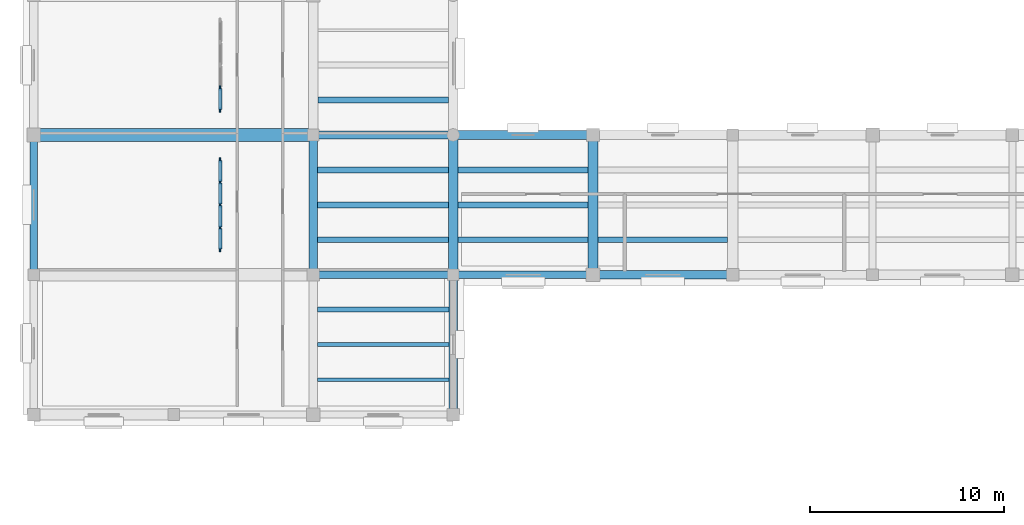
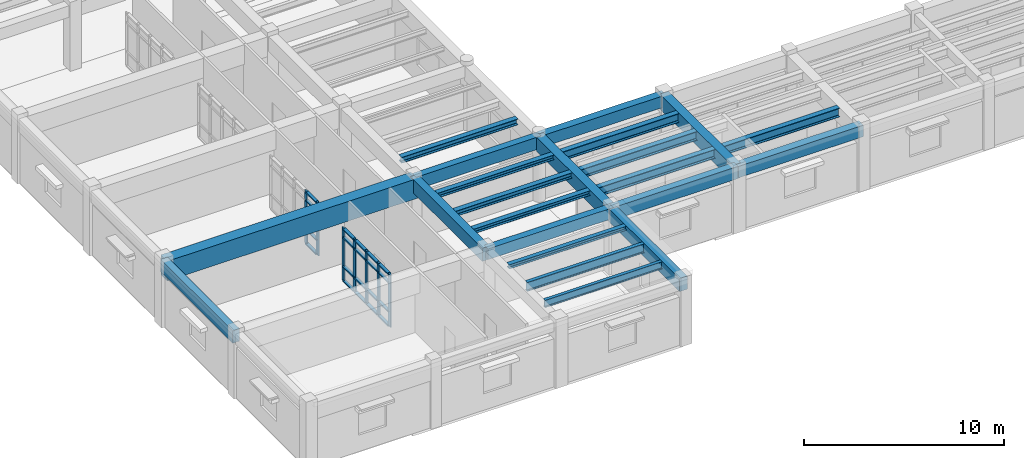
# One storey, part 2 of 66: 27 members, 22 beams, 2 elements without a shape of their own.
"""IFC4 building model written with IfcOpenShell, lengths in metres."""

from ifc_helpers import new_model, si_unit, direction, frame, origin, origin_2d, place, context, subcontext, project, spatial, rectangle, i_section, extrude, material, material_profile, profile_set, type_object, element, aggregate, save


model = new_model("IFC4")

# Units and contexts
model_context = context("Model", 3, precision=1e-05, world=origin(), true_north=direction((0.0, 1.0)))
body_context = subcontext(model_context, "Body", "Model", "MODEL_VIEW")
ifc_project = project(units=[si_unit("LENGTHUNIT", "METRE"), si_unit("AREAUNIT", "SQUARE_METRE"), si_unit("VOLUMEUNIT", "CUBIC_METRE"), si_unit("PLANEANGLEUNIT", "RADIAN"), si_unit("MASSUNIT", "GRAM", prefix="KILO")], contexts=[model_context])

# Site, building, storey
site_placement = place(None, origin())
site = spatial("IfcSite", under=ifc_project, at=site_placement, CompositionType="ELEMENT")
building_placement = place(site_placement, origin())
building = spatial("IfcBuilding", under=site, at=building_placement, Name="Mithqara Police Headquarters", CompositionType="ELEMENT")
storey_placement = place(building_placement, frame((0.0, 0.0, 9.60009765625)))
storey = spatial("IfcBuildingStorey", under=building, at=storey_placement, Name="L02", CompositionType="ELEMENT", Elevation=9.60009765625)

# Beams
ifc_material_1 = material(Name="Steel S355JR", Category="steel")
ifc_material_profile_1 = material_profile(ifc_material_1, i_section(OverallWidth=0.300048828125, OverallDepth=0.300048828125, WebThickness=0.010986328125, FlangeThickness=0.01904296875, FilletRadius=0.027099609375, at=origin_2d()), Name="HEB 300")
ifc_profile_set_1 = profile_set([ifc_material_profile_1], Name="Steel S355JR")
beam_type_1 = type_object("IfcBeamType", Name="BEAM HEB300", PredefinedType="BEAM", material=ifc_profile_set_1)
beam_1_placement = place(storey_placement, frame((22.425048828125, 33.60009765625, 3.789794921875), z_axis=(1.0, 0.0, 0.0), x_axis=(0.0, 1.0, 0.0)))
element("IfcBeam", 1, at=beam_1_placement, inside=storey, type_object=beam_type_1, Name="L02 Composite Steel Joist 4-5/E.3", PredefinedType="BEAM", context=body_context, shape_type="SweptSolid", body=[
    extrude(i_section(OverallWidth=0.300048828125, OverallDepth=0.300048828125, WebThickness=0.010986328125, FlangeThickness=0.01904296875, FilletRadius=0.027099609375, at=origin_2d()), origin(), (0.0, 0.0, 1.0), 6.724853515625),
])
ifc_material_profile_2 = material_profile(ifc_material_1, i_section(OverallWidth=0.300048828125, OverallDepth=0.360107421875, WebThickness=0.012451171875, FlangeThickness=0.0224609375, FilletRadius=0.027099609375, at=origin_2d()), Name="HEB 360")
ifc_profile_set_2 = profile_set([ifc_material_profile_2], Name="Steel S355JR")
beam_type_2 = type_object("IfcBeamType", Name="BEAM HEB360", PredefinedType="BEAM", material=ifc_profile_set_2)
beam_2_placement = place(storey_placement, frame((22.449951171875, 37.199951171875, 3.760009765625), z_axis=(1.0, 0.0, 0.0), x_axis=(0.0, 1.0, 0.0)))
element("IfcBeam", 2, at=beam_2_placement, inside=storey, type_object=beam_type_2, Name="L02 Composite Steel Joist 4-5/F.1", PredefinedType="BEAM", context=body_context, shape_type="SweptSolid", body=[
    extrude(i_section(OverallWidth=0.300048828125, OverallDepth=0.360107421875, WebThickness=0.012451171875, FlangeThickness=0.0224609375, FilletRadius=0.027099609375, at=origin_2d()), origin(), (0.0, 0.0, 1.0), 6.699951171875),
])
ifc_material_profile_3 = material_profile(ifc_material_1, i_section(OverallWidth=0.300048828125, OverallDepth=0.550048828125, WebThickness=0.014892578125, FlangeThickness=0.029052734375, FilletRadius=0.027099609375, at=origin_2d()), Name="HEB 550")
ifc_profile_set_3 = profile_set([ifc_material_profile_3], Name="Steel S355JR")
beam_type_3 = type_object("IfcBeamType", Name="BEAM HEB550", PredefinedType="BEAM", material=ifc_profile_set_3)
for number, where, z_axis, x_axis, name in (
    (3, (29.64990234375, 30.0, 3.664794921875), (1.0, 0.0, 0.0), (0.0, 1.0, 0.0), "L02 Composite Steel Joist 5-6/E.1"),
    (4, (29.64990234375, 31.800048828125, 3.664794921875), (1.0, 0.0, 0.0), (0.0, 1.0, 0.0), "L02 Composite Steel Joist 5-6/E.2"),
    (5, (29.64990234375, 33.60009765625, 3.664794921875), (1.0, 0.0, 0.0), (0.0, 1.0, 0.0), "L02 Composite Steel Joist 5-6/E.3"),
):
    element("IfcBeam", number, at=place(storey_placement, frame(where, z_axis=z_axis, x_axis=x_axis)), inside=storey, type_object=beam_type_3, Name=name, PredefinedType="BEAM", context=body_context, shape_type="SweptSolid", body=[
        extrude(i_section(OverallWidth=0.300048828125, OverallDepth=0.550048828125, WebThickness=0.014892578125, FlangeThickness=0.029052734375, FilletRadius=0.027099609375, at=origin_2d()), origin(), (0.0, 0.0, 1.0), 6.7001953125),
    ])
beam_3_placement = place(storey_placement, frame((36.85009765625, 30.0, 3.664794921875), z_axis=(1.0, 0.0, 0.0), x_axis=(0.0, 1.0, 0.0)))
element("IfcBeam", 6, at=beam_3_placement, inside=storey, type_object=beam_type_3, Name="L02 Composite Steel Joist 6-7/E.1", PredefinedType="BEAM", context=body_context, shape_type="SweptSolid", body=[
    extrude(i_section(OverallWidth=0.300048828125, OverallDepth=0.550048828125, WebThickness=0.014892578125, FlangeThickness=0.029052734375, FilletRadius=0.027099609375, at=origin_2d()), origin(), (0.0, 0.0, 1.0), 6.6748046875),
])
ifc_material_2 = material(Name="Concrete C40/50", Category="concrete")
ifc_material_profile_4 = material_profile(ifc_material_2, rectangle(XDim=0.39990234375, YDim=0.64990234375, at=origin_2d()), Name="RC 400x650")
ifc_profile_set_4 = profile_set([ifc_material_profile_4], Name="Concrete C40/50")
beam_type_4 = type_object("IfcBeamType", Name="BEAM RC400X650", PredefinedType="BEAM", material=ifc_profile_set_4)
beam_4_placement = place(storey_placement, frame((22.199951171875, 28.199951171875, 3.614990234375), z_axis=(1.0, 0.0, 0.0), x_axis=(0.0, 1.0, 0.0)))
element("IfcBeam", 7, at=beam_4_placement, inside=storey, type_object=beam_type_4, Name="L02 Girder 4-5/E", PredefinedType="BEAM", context=body_context, shape_type="SweptSolid", body=[
    extrude(rectangle(XDim=0.39990234375, YDim=0.64990234375, at=origin_2d()), origin(), (0.0, 0.0, 1.0), 7.199951171875),
])
ifc_material_profile_5 = material_profile(ifc_material_2, rectangle(XDim=0.39990234375, YDim=0.75, at=origin_2d()), Name="RC 400x750")
ifc_profile_set_5 = profile_set([ifc_material_profile_5], Name="Concrete C40/50")
beam_type_5 = type_object("IfcBeamType", Name="BEAM RC400X750", PredefinedType="BEAM", material=ifc_profile_set_5)
for number, where, z_axis, x_axis, name in (
    (8, (7.800048828125, 28.199951171875, 3.56494140625), (0.0, 1.0, 0.0), (-1.0, 0.0, 0.0), "L02 Girder 2/E-F"),
    (9, (22.199951171875, 35.39990234375, 3.56494140625), (1.0, 0.0, 0.0), (0.0, 1.0, 0.0), "L02 Girder 4-5/F"),
):
    element("IfcBeam", number, at=place(storey_placement, frame(where, z_axis=z_axis, x_axis=x_axis)), inside=storey, type_object=beam_type_5, Name=name, PredefinedType="BEAM", context=body_context, shape_type="SweptSolid", body=[
        extrude(rectangle(XDim=0.39990234375, YDim=0.75, at=origin_2d()), origin(), (0.0, 0.0, 1.0), 7.199951171875),
    ])
beam_5_placement = place(storey_placement, frame((29.39990234375, 28.199951171875, 3.56494140625), z_axis=(1.0, 0.0, 0.0), x_axis=(0.0, 1.0, 0.0)))
element("IfcBeam", 10, at=beam_5_placement, inside=storey, type_object=beam_type_5, Name="L02 Girder 5-6/E", PredefinedType="BEAM", context=body_context, shape_type="SweptSolid", body=[
    extrude(rectangle(XDim=0.39990234375, YDim=0.75, at=origin_2d()), origin(), (0.0, 0.0, 1.0), 7.2001953125),
])
ifc_material_profile_6 = material_profile(ifc_material_2, rectangle(XDim=0.449951171875, YDim=0.699951171875, at=origin_2d()), Name="RC 450x700")
ifc_profile_set_6 = profile_set([ifc_material_profile_6], Name="Concrete C40/50")
beam_type_6 = type_object("IfcBeamType", Name="BEAM RC450X700", PredefinedType="BEAM", material=ifc_profile_set_6)
beam_6_placement = place(storey_placement, frame((29.39990234375, 35.39990234375, 3.58984375), z_axis=(1.0, 0.0, 0.0), x_axis=(0.0, 1.0, 0.0)))
element("IfcBeam", 11, at=beam_6_placement, inside=storey, type_object=beam_type_6, Name="L02 Girder 5-6/F", PredefinedType="BEAM", context=body_context, shape_type="SweptSolid", body=[
    extrude(rectangle(XDim=0.449951171875, YDim=0.699951171875, at=origin_2d()), origin(), (0.0, 0.0, 1.0), 7.2001953125),
])
beam_7_placement = place(storey_placement, frame((36.60009765625, 28.199951171875, 3.58984375), z_axis=(1.0, 0.0, 0.0), x_axis=(0.0, 1.0, 0.0)))
element("IfcBeam", 12, at=beam_7_placement, inside=storey, type_object=beam_type_6, Name="L02 Girder 6-7/E", PredefinedType="BEAM", context=body_context, shape_type="SweptSolid", body=[
    extrude(rectangle(XDim=0.449951171875, YDim=0.699951171875, at=origin_2d()), origin(), (0.0, 0.0, 1.0), 7.199951171875),
])
ifc_material_profile_7 = material_profile(ifc_material_2, rectangle(XDim=0.449951171875, YDim=0.800048828125, at=origin_2d()), Name="RC 450x800")
ifc_profile_set_7 = profile_set([ifc_material_profile_7], Name="Concrete C40/50")
beam_type_7 = type_object("IfcBeamType", Name="BEAM RC450X800", PredefinedType="BEAM", material=ifc_profile_set_7)
for number, where, z_axis, x_axis, name in (
    (13, (22.199951171875, 28.199951171875, 3.539794921875), (0.0, 1.0, 0.0), (-1.0, 0.0, 0.0), "L02 Girder 4/E-F"),
    (14, (29.39990234375, 21.0, 3.539794921875), (0.0, 1.0, 0.0), (-1.0, 0.0, 0.0), "L02 Girder 5/D-E"),
):
    element("IfcBeam", number, at=place(storey_placement, frame(where, z_axis=z_axis, x_axis=x_axis)), inside=storey, type_object=beam_type_7, Name=name, PredefinedType="BEAM", context=body_context, shape_type="SweptSolid", body=[
        extrude(rectangle(XDim=0.449951171875, YDim=0.800048828125, at=origin_2d()), origin(), (0.0, 0.0, 1.0), 7.199951171875),
    ])
ifc_material_profile_8 = material_profile(ifc_material_2, rectangle(XDim=0.5, YDim=0.85009765625, at=origin_2d()), Name="RC 500x850")
ifc_profile_set_8 = profile_set([ifc_material_profile_8], Name="Concrete C40/50")
beam_type_8 = type_object("IfcBeamType", Name="BEAM RC500X850", PredefinedType="BEAM", material=ifc_profile_set_8)
beam_8_placement = place(storey_placement, frame((29.39990234375, 28.199951171875, 3.514892578125), z_axis=(0.0, 1.0, 0.0), x_axis=(-1.0, 0.0, 0.0)))
element("IfcBeam", 15, at=beam_8_placement, inside=storey, type_object=beam_type_8, Name="L02 Girder 5/E-F", PredefinedType="BEAM", context=body_context, shape_type="SweptSolid", body=[
    extrude(rectangle(XDim=0.5, YDim=0.85009765625, at=origin_2d()), origin(), (0.0, 0.0, 1.0), 7.199951171875),
])
ifc_material_3 = material(Name="Concrete C50/60", Category="concrete")
ifc_material_profile_9 = material_profile(ifc_material_3, rectangle(XDim=0.5, YDim=0.89990234375, at=origin_2d()), Name="RC 500x900")
ifc_profile_set_9 = profile_set([ifc_material_profile_9], Name="Concrete C50/60")
beam_type_9 = type_object("IfcBeamType", Name="BEAM RC500X900", PredefinedType="BEAM", material=ifc_profile_set_9)
beam_9_placement = place(storey_placement, frame((36.60009765625, 28.199951171875, 3.489990234375), z_axis=(0.0, 1.0, 0.0), x_axis=(-1.0, 0.0, 0.0)))
element("IfcBeam", 16, at=beam_9_placement, inside=storey, type_object=beam_type_9, Name="L02 Girder 6/E-F", PredefinedType="BEAM", context=body_context, shape_type="SweptSolid", body=[
    extrude(rectangle(XDim=0.5, YDim=0.89990234375, at=origin_2d()), origin(), (0.0, 0.0, 1.0), 7.199951171875),
])

# Curtain wall, members
ifc_material_4 = material(Name="Bronze anodised aluminium 6063-T6", Category="aluminium")
curtain_wall_type = type_object("IfcCurtainWallType", Name="CURTAIN WALL 4700X3220", PredefinedType="USERDEFINED", material=ifc_material_4)
curtain_wall_1_placement = place(storey_placement, origin())
curtain_wall_1 = element("IfcCurtainWall", 17, at=curtain_wall_1_placement, inside=storey, type_object=curtain_wall_type, Name="L02 Unitised Glazing CW-16 (CW-INT-L02-X02-Y04-0)", ObjectType="UNITISED GLAZING", PredefinedType="USERDEFINED")
ifc_material_profile_10 = material_profile(ifc_material_4, rectangle(XDim=0.074951171875, YDim=0.219970703125, at=origin_2d()), Name="CWM 75x220")
ifc_profile_set_10 = profile_set([ifc_material_profile_10], Name="Bronze anodised aluminium 6063-T6")
member_type_1 = type_object("IfcMemberType", Name="CWMULLION 75X220", PredefinedType="MULLION", material=ifc_profile_set_10)
member_1_placement = place(storey_placement, frame((17.39990234375, 29.487548828125, 0.0), z_axis=(0.0, 0.0, 1.0), x_axis=(-1.0, 0.0, 0.0)))
member_1 = element("IfcMember", 18, at=member_1_placement, type_object=member_type_1, Name="CW-16 mullion 1", PredefinedType="MULLION", context=body_context, shape_type="SweptSolid", body=[
    extrude(rectangle(XDim=0.074951171875, YDim=0.219970703125, at=origin_2d()), origin(), (0.0, 0.0, 1.0), 3.219970703125),
])
member_2_placement = place(storey_placement, frame((17.39990234375, 30.625, 0.0), z_axis=(0.0, 0.0, 1.0), x_axis=(-1.0, 0.0, 0.0)))
member_2 = element("IfcMember", 19, at=member_2_placement, type_object=member_type_1, Name="CW-16 mullion 2", PredefinedType="MULLION", context=body_context, shape_type="SweptSolid", body=[
    extrude(rectangle(XDim=0.074951171875, YDim=0.219970703125, at=origin_2d()), origin(), (0.0, 0.0, 1.0), 3.219970703125),
])
member_3_placement = place(storey_placement, frame((17.39990234375, 31.800048828125, 0.0), z_axis=(0.0, 0.0, 1.0), x_axis=(-1.0, 0.0, 0.0)))
member_3 = element("IfcMember", 20, at=member_3_placement, type_object=member_type_1, Name="CW-16 mullion 3", PredefinedType="MULLION", context=body_context, shape_type="SweptSolid", body=[
    extrude(rectangle(XDim=0.074951171875, YDim=0.219970703125, at=origin_2d()), origin(), (0.0, 0.0, 1.0), 3.219970703125),
])
member_4_placement = place(storey_placement, frame((17.39990234375, 32.97509765625, 0.0), z_axis=(0.0, 0.0, 1.0), x_axis=(-1.0, 0.0, 0.0)))
member_4 = element("IfcMember", 21, at=member_4_placement, type_object=member_type_1, Name="CW-16 mullion 4", PredefinedType="MULLION", context=body_context, shape_type="SweptSolid", body=[
    extrude(rectangle(XDim=0.074951171875, YDim=0.219970703125, at=origin_2d()), origin(), (0.0, 0.0, 1.0), 3.219970703125),
])
member_5_placement = place(storey_placement, frame((17.39990234375, 34.112548828125, 0.0), z_axis=(0.0, 0.0, 1.0), x_axis=(-1.0, 0.0, 0.0)))
member_5 = element("IfcMember", 22, at=member_5_placement, type_object=member_type_1, Name="CW-16 mullion 5", PredefinedType="MULLION", context=body_context, shape_type="SweptSolid", body=[
    extrude(rectangle(XDim=0.074951171875, YDim=0.219970703125, at=origin_2d()), origin(), (0.0, 0.0, 1.0), 3.219970703125),
])

curtain_wall_2_placement = place(storey_placement, origin())
curtain_wall_2 = element("IfcCurtainWall", 23, at=curtain_wall_2_placement, inside=storey, type_object=curtain_wall_type, Name="L02 Unitised Glazing CW-16 (CW-INT-L02-X02-Y05-0)", ObjectType="UNITISED GLAZING", PredefinedType="USERDEFINED")
member_6_placement = place(storey_placement, frame((17.39990234375, 36.6875, 0.0), z_axis=(0.0, 0.0, 1.0), x_axis=(-1.0, 0.0, 0.0)))
member_6 = element("IfcMember", 24, at=member_6_placement, type_object=member_type_1, Name="CW-16 mullion 1", PredefinedType="MULLION", context=body_context, shape_type="SweptSolid", body=[
    extrude(rectangle(XDim=0.074951171875, YDim=0.219970703125, at=origin_2d()), origin(), (0.0, 0.0, 1.0), 3.219970703125),
])
member_7_placement = place(storey_placement, frame((17.39990234375, 37.824951171875, 0.0), z_axis=(0.0, 0.0, 1.0), x_axis=(-1.0, 0.0, 0.0)))
member_7 = element("IfcMember", 25, at=member_7_placement, type_object=member_type_1, Name="CW-16 mullion 2", PredefinedType="MULLION", context=body_context, shape_type="SweptSolid", body=[
    extrude(rectangle(XDim=0.074951171875, YDim=0.219970703125, at=origin_2d()), origin(), (0.0, 0.0, 1.0), 3.219970703125),
])

# Member
ifc_material_profile_11 = material_profile(ifc_material_4, rectangle(XDim=0.179931640625, YDim=0.074951171875, at=origin_2d()), Name="CWT 180x75")
ifc_profile_set_11 = profile_set([ifc_material_profile_11], Name="Bronze anodised aluminium 6063-T6")
member_type_2 = type_object("IfcMemberType", Name="CWTRANSOM 180X75", PredefinedType="USERDEFINED", material=ifc_profile_set_11)
member_8_placement = place(storey_placement, frame((17.39990234375, 29.52490234375, 0.037353515625), z_axis=(0.0, 1.0, 0.0), x_axis=(-1.0, 0.0, 0.0)))
member_8 = element("IfcMember", 26, at=member_8_placement, type_object=member_type_2, Name="CW-16 transom 1.1", ObjectType="TRANSOM", PredefinedType="USERDEFINED", context=body_context, shape_type="SweptSolid", body=[
    extrude(rectangle(XDim=0.179931640625, YDim=0.074951171875, at=origin_2d()), origin(), (0.0, 0.0, 1.0), 1.0625),
])

member_9_placement = place(storey_placement, frame((17.39990234375, 29.52490234375, 0.89990234375), z_axis=(0.0, 1.0, 0.0), x_axis=(-1.0, 0.0, 0.0)))
member_9 = element("IfcMember", 27, at=member_9_placement, type_object=member_type_2, Name="CW-16 transom 1.2", ObjectType="TRANSOM", PredefinedType="USERDEFINED", context=body_context, shape_type="SweptSolid", body=[
    extrude(rectangle(XDim=0.179931640625, YDim=0.074951171875, at=origin_2d()), origin(), (0.0, 0.0, 1.0), 1.0625),
])

member_10_placement = place(storey_placement, frame((17.39990234375, 29.52490234375, 2.669921875), z_axis=(0.0, 1.0, 0.0), x_axis=(-1.0, 0.0, 0.0)))
member_10 = element("IfcMember", 28, at=member_10_placement, type_object=member_type_2, Name="CW-16 transom 1.3", ObjectType="TRANSOM", PredefinedType="USERDEFINED", context=body_context, shape_type="SweptSolid", body=[
    extrude(rectangle(XDim=0.179931640625, YDim=0.074951171875, at=origin_2d()), origin(), (0.0, 0.0, 1.0), 1.0625),
])

member_11_placement = place(storey_placement, frame((17.39990234375, 29.52490234375, 3.182373046875), z_axis=(0.0, 1.0, 0.0), x_axis=(-1.0, 0.0, 0.0)))
member_11 = element("IfcMember", 29, at=member_11_placement, type_object=member_type_2, Name="CW-16 transom 1.4", ObjectType="TRANSOM", PredefinedType="USERDEFINED", context=body_context, shape_type="SweptSolid", body=[
    extrude(rectangle(XDim=0.179931640625, YDim=0.074951171875, at=origin_2d()), origin(), (0.0, 0.0, 1.0), 1.0625),
])

member_12_placement = place(storey_placement, frame((17.39990234375, 30.66259765625, 0.037353515625), z_axis=(0.0, 1.0, 0.0), x_axis=(-1.0, 0.0, 0.0)))
member_12 = element("IfcMember", 30, at=member_12_placement, type_object=member_type_2, Name="CW-16 transom 2.1", ObjectType="TRANSOM", PredefinedType="USERDEFINED", context=body_context, shape_type="SweptSolid", body=[
    extrude(rectangle(XDim=0.179931640625, YDim=0.074951171875, at=origin_2d()), origin(), (0.0, 0.0, 1.0), 1.099853515625),
])

member_13_placement = place(storey_placement, frame((17.39990234375, 30.66259765625, 0.89990234375), z_axis=(0.0, 1.0, 0.0), x_axis=(-1.0, 0.0, 0.0)))
member_13 = element("IfcMember", 31, at=member_13_placement, type_object=member_type_2, Name="CW-16 transom 2.2", ObjectType="TRANSOM", PredefinedType="USERDEFINED", context=body_context, shape_type="SweptSolid", body=[
    extrude(rectangle(XDim=0.179931640625, YDim=0.074951171875, at=origin_2d()), origin(), (0.0, 0.0, 1.0), 1.099853515625),
])

member_14_placement = place(storey_placement, frame((17.39990234375, 30.66259765625, 2.669921875), z_axis=(0.0, 1.0, 0.0), x_axis=(-1.0, 0.0, 0.0)))
member_14 = element("IfcMember", 32, at=member_14_placement, type_object=member_type_2, Name="CW-16 transom 2.3", ObjectType="TRANSOM", PredefinedType="USERDEFINED", context=body_context, shape_type="SweptSolid", body=[
    extrude(rectangle(XDim=0.179931640625, YDim=0.074951171875, at=origin_2d()), origin(), (0.0, 0.0, 1.0), 1.099853515625),
])

member_15_placement = place(storey_placement, frame((17.39990234375, 30.66259765625, 3.182373046875), z_axis=(0.0, 1.0, 0.0), x_axis=(-1.0, 0.0, 0.0)))
member_15 = element("IfcMember", 33, at=member_15_placement, type_object=member_type_2, Name="CW-16 transom 2.4", ObjectType="TRANSOM", PredefinedType="USERDEFINED", context=body_context, shape_type="SweptSolid", body=[
    extrude(rectangle(XDim=0.179931640625, YDim=0.074951171875, at=origin_2d()), origin(), (0.0, 0.0, 1.0), 1.099853515625),
])

member_16_placement = place(storey_placement, frame((17.39990234375, 31.83740234375, 0.037353515625), z_axis=(0.0, 1.0, 0.0), x_axis=(-1.0, 0.0, 0.0)))
member_16 = element("IfcMember", 34, at=member_16_placement, type_object=member_type_2, Name="CW-16 transom 3.1", ObjectType="TRANSOM", PredefinedType="USERDEFINED", context=body_context, shape_type="SweptSolid", body=[
    extrude(rectangle(XDim=0.179931640625, YDim=0.074951171875, at=origin_2d()), origin(), (0.0, 0.0, 1.0), 1.10009765625),
])

member_17_placement = place(storey_placement, frame((17.39990234375, 31.83740234375, 0.89990234375), z_axis=(0.0, 1.0, 0.0), x_axis=(-1.0, 0.0, 0.0)))
member_17 = element("IfcMember", 35, at=member_17_placement, type_object=member_type_2, Name="CW-16 transom 3.2", ObjectType="TRANSOM", PredefinedType="USERDEFINED", context=body_context, shape_type="SweptSolid", body=[
    extrude(rectangle(XDim=0.179931640625, YDim=0.074951171875, at=origin_2d()), origin(), (0.0, 0.0, 1.0), 1.10009765625),
])

member_18_placement = place(storey_placement, frame((17.39990234375, 31.83740234375, 2.669921875), z_axis=(0.0, 1.0, 0.0), x_axis=(-1.0, 0.0, 0.0)))
member_18 = element("IfcMember", 36, at=member_18_placement, type_object=member_type_2, Name="CW-16 transom 3.3", ObjectType="TRANSOM", PredefinedType="USERDEFINED", context=body_context, shape_type="SweptSolid", body=[
    extrude(rectangle(XDim=0.179931640625, YDim=0.074951171875, at=origin_2d()), origin(), (0.0, 0.0, 1.0), 1.10009765625),
])

member_19_placement = place(storey_placement, frame((17.39990234375, 31.83740234375, 3.182373046875), z_axis=(0.0, 1.0, 0.0), x_axis=(-1.0, 0.0, 0.0)))
member_19 = element("IfcMember", 37, at=member_19_placement, type_object=member_type_2, Name="CW-16 transom 3.4", ObjectType="TRANSOM", PredefinedType="USERDEFINED", context=body_context, shape_type="SweptSolid", body=[
    extrude(rectangle(XDim=0.179931640625, YDim=0.074951171875, at=origin_2d()), origin(), (0.0, 0.0, 1.0), 1.10009765625),
])

member_20_placement = place(storey_placement, frame((17.39990234375, 33.012451171875, 0.037353515625), z_axis=(0.0, 1.0, 0.0), x_axis=(-1.0, 0.0, 0.0)))
member_20 = element("IfcMember", 38, at=member_20_placement, type_object=member_type_2, Name="CW-16 transom 4.1", ObjectType="TRANSOM", PredefinedType="USERDEFINED", context=body_context, shape_type="SweptSolid", body=[
    extrude(rectangle(XDim=0.179931640625, YDim=0.074951171875, at=origin_2d()), origin(), (0.0, 0.0, 1.0), 1.0625),
])

member_21_placement = place(storey_placement, frame((17.39990234375, 33.012451171875, 0.89990234375), z_axis=(0.0, 1.0, 0.0), x_axis=(-1.0, 0.0, 0.0)))
member_21 = element("IfcMember", 39, at=member_21_placement, type_object=member_type_2, Name="CW-16 transom 4.2", ObjectType="TRANSOM", PredefinedType="USERDEFINED", context=body_context, shape_type="SweptSolid", body=[
    extrude(rectangle(XDim=0.179931640625, YDim=0.074951171875, at=origin_2d()), origin(), (0.0, 0.0, 1.0), 1.0625),
])

member_22_placement = place(storey_placement, frame((17.39990234375, 33.012451171875, 2.669921875), z_axis=(0.0, 1.0, 0.0), x_axis=(-1.0, 0.0, 0.0)))
member_22 = element("IfcMember", 40, at=member_22_placement, type_object=member_type_2, Name="CW-16 transom 4.3", ObjectType="TRANSOM", PredefinedType="USERDEFINED", context=body_context, shape_type="SweptSolid", body=[
    extrude(rectangle(XDim=0.179931640625, YDim=0.074951171875, at=origin_2d()), origin(), (0.0, 0.0, 1.0), 1.0625),
])

member_23_placement = place(storey_placement, frame((17.39990234375, 33.012451171875, 3.182373046875), z_axis=(0.0, 1.0, 0.0), x_axis=(-1.0, 0.0, 0.0)))
member_23 = element("IfcMember", 41, at=member_23_placement, type_object=member_type_2, Name="CW-16 transom 4.4", ObjectType="TRANSOM", PredefinedType="USERDEFINED", context=body_context, shape_type="SweptSolid", body=[
    extrude(rectangle(XDim=0.179931640625, YDim=0.074951171875, at=origin_2d()), origin(), (0.0, 0.0, 1.0), 1.0625),
])

aggregate(curtain_wall_1, [member_1, member_2, member_3, member_4, member_5, member_8, member_9, member_10, member_11, member_12, member_13, member_14, member_15, member_16, member_17, member_18, member_19, member_20, member_21, member_22, member_23])

member_24_placement = place(storey_placement, frame((17.39990234375, 36.72509765625, 0.037353515625), z_axis=(0.0, 1.0, 0.0), x_axis=(-1.0, 0.0, 0.0)))
member_24 = element("IfcMember", 42, at=member_24_placement, type_object=member_type_2, Name="CW-16 transom 1.1", ObjectType="TRANSOM", PredefinedType="USERDEFINED", context=body_context, shape_type="SweptSolid", body=[
    extrude(rectangle(XDim=0.179931640625, YDim=0.074951171875, at=origin_2d()), origin(), (0.0, 0.0, 1.0), 1.0625),
])

member_25_placement = place(storey_placement, frame((17.39990234375, 36.72509765625, 0.89990234375), z_axis=(0.0, 1.0, 0.0), x_axis=(-1.0, 0.0, 0.0)))
member_25 = element("IfcMember", 43, at=member_25_placement, type_object=member_type_2, Name="CW-16 transom 1.2", ObjectType="TRANSOM", PredefinedType="USERDEFINED", context=body_context, shape_type="SweptSolid", body=[
    extrude(rectangle(XDim=0.179931640625, YDim=0.074951171875, at=origin_2d()), origin(), (0.0, 0.0, 1.0), 1.0625),
])

member_26_placement = place(storey_placement, frame((17.39990234375, 36.72509765625, 2.669921875), z_axis=(0.0, 1.0, 0.0), x_axis=(-1.0, 0.0, 0.0)))
member_26 = element("IfcMember", 44, at=member_26_placement, type_object=member_type_2, Name="CW-16 transom 1.3", ObjectType="TRANSOM", PredefinedType="USERDEFINED", context=body_context, shape_type="SweptSolid", body=[
    extrude(rectangle(XDim=0.179931640625, YDim=0.074951171875, at=origin_2d()), origin(), (0.0, 0.0, 1.0), 1.0625),
])

member_27_placement = place(storey_placement, frame((17.39990234375, 36.72509765625, 3.182373046875), z_axis=(0.0, 1.0, 0.0), x_axis=(-1.0, 0.0, 0.0)))
member_27 = element("IfcMember", 45, at=member_27_placement, type_object=member_type_2, Name="CW-16 transom 1.4", ObjectType="TRANSOM", PredefinedType="USERDEFINED", context=body_context, shape_type="SweptSolid", body=[
    extrude(rectangle(XDim=0.179931640625, YDim=0.074951171875, at=origin_2d()), origin(), (0.0, 0.0, 1.0), 1.0625),
])

aggregate(curtain_wall_2, [member_6, member_7, member_24, member_25, member_26, member_27])

# Beams
ifc_material_profile_12 = material_profile(ifc_material_1, i_section(OverallWidth=0.260009765625, OverallDepth=0.25, WebThickness=0.007568359375, FlangeThickness=0.012451171875, FilletRadius=0.02392578125, at=origin_2d()), Name="HEA 260")
ifc_profile_set_12 = profile_set([ifc_material_profile_12], Name="Steel S355JR")
beam_type_10 = type_object("IfcBeamType", Name="JOIST HEA260", PredefinedType="JOIST", material=ifc_profile_set_12)
beam_10_placement = place(storey_placement, frame((22.425048828125, 26.39990234375, 3.81494140625), z_axis=(1.0, 0.0, 0.0), x_axis=(0.0, 1.0, 0.0)))
element("IfcBeam", 46, at=beam_10_placement, inside=storey, type_object=beam_type_10, Name="L02 Composite Steel Joist 4-5/D.3", PredefinedType="JOIST", context=body_context, shape_type="SweptSolid", body=[
    extrude(i_section(OverallWidth=0.260009765625, OverallDepth=0.25, WebThickness=0.007568359375, FlangeThickness=0.012451171875, FilletRadius=0.02392578125, at=origin_2d()), origin(), (0.0, 0.0, 1.0), 6.75),
])
ifc_material_profile_13 = material_profile(ifc_material_1, i_section(OverallWidth=0.300048828125, OverallDepth=0.2900390625, WebThickness=0.008544921875, FlangeThickness=0.013916015625, FilletRadius=0.027099609375, at=origin_2d()), Name="HEA 300")
ifc_profile_set_13 = profile_set([ifc_material_profile_13], Name="Steel S355JR")
beam_type_11 = type_object("IfcBeamType", Name="JOIST HEA300", PredefinedType="JOIST", material=ifc_profile_set_13)
beam_11_placement = place(storey_placement, frame((22.425048828125, 30.0, 3.794921875), z_axis=(1.0, 0.0, 0.0), x_axis=(0.0, 1.0, 0.0)))
element("IfcBeam", 47, at=beam_11_placement, inside=storey, type_object=beam_type_11, Name="L02 Composite Steel Joist 4-5/E.1", PredefinedType="JOIST", context=body_context, shape_type="SweptSolid", body=[
    extrude(i_section(OverallWidth=0.300048828125, OverallDepth=0.2900390625, WebThickness=0.008544921875, FlangeThickness=0.013916015625, FilletRadius=0.027099609375, at=origin_2d()), origin(), (0.0, 0.0, 1.0), 6.724853515625),
])
ifc_material_profile_14 = material_profile(ifc_material_1, i_section(OverallWidth=0.300048828125, OverallDepth=0.330078125, WebThickness=0.009521484375, FlangeThickness=0.0166015625, FilletRadius=0.027099609375, at=origin_2d()), Name="HEA 340")
ifc_profile_set_14 = profile_set([ifc_material_profile_14], Name="Steel S355JR")
beam_type_12 = type_object("IfcBeamType", Name="JOIST HEA340", PredefinedType="JOIST", material=ifc_profile_set_14)
beam_12_placement = place(storey_placement, frame((22.425048828125, 31.800048828125, 3.77490234375), z_axis=(1.0, 0.0, 0.0), x_axis=(0.0, 1.0, 0.0)))
element("IfcBeam", 48, at=beam_12_placement, inside=storey, type_object=beam_type_12, Name="L02 Composite Steel Joist 4-5/E.2", PredefinedType="JOIST", context=body_context, shape_type="SweptSolid", body=[
    extrude(i_section(OverallWidth=0.300048828125, OverallDepth=0.330078125, WebThickness=0.009521484375, FlangeThickness=0.0166015625, FilletRadius=0.027099609375, at=origin_2d()), origin(), (0.0, 0.0, 1.0), 6.724853515625),
])
ifc_material_profile_15 = material_profile(ifc_material_1, i_section(OverallWidth=0.18994140625, OverallDepth=0.449951171875, WebThickness=0.009521484375, FlangeThickness=0.0146484375, FilletRadius=0.02099609375, at=origin_2d()), Name="IPE 450")
ifc_profile_set_15 = profile_set([ifc_material_profile_15], Name="Steel S355JR")
beam_type_13 = type_object("IfcBeamType", Name="JOIST IPE450", PredefinedType="JOIST", material=ifc_profile_set_15)
beam_13_placement = place(storey_placement, frame((22.425048828125, 22.800048828125, 3.71484375), z_axis=(1.0, 0.0, 0.0), x_axis=(0.0, 1.0, 0.0)))
element("IfcBeam", 49, at=beam_13_placement, inside=storey, type_object=beam_type_13, Name="L02 Composite Steel Joist 4-5/D.1", PredefinedType="JOIST", context=body_context, shape_type="SweptSolid", body=[
    extrude(i_section(OverallWidth=0.18994140625, OverallDepth=0.449951171875, WebThickness=0.009521484375, FlangeThickness=0.0146484375, FilletRadius=0.02099609375, at=origin_2d()), origin(), (0.0, 0.0, 1.0), 6.75),
])
ifc_material_profile_16 = material_profile(ifc_material_1, i_section(OverallWidth=0.2099609375, OverallDepth=0.550048828125, WebThickness=0.010986328125, FlangeThickness=0.01708984375, FilletRadius=0.02392578125, at=origin_2d()), Name="IPE 550")
ifc_profile_set_16 = profile_set([ifc_material_profile_16], Name="Steel S355JR")
beam_type_14 = type_object("IfcBeamType", Name="JOIST IPE550", PredefinedType="JOIST", material=ifc_profile_set_16)
beam_14_placement = place(storey_placement, frame((22.425048828125, 24.60009765625, 3.664794921875), z_axis=(1.0, 0.0, 0.0), x_axis=(0.0, 1.0, 0.0)))
element("IfcBeam", 50, at=beam_14_placement, inside=storey, type_object=beam_type_14, Name="L02 Composite Steel Joist 4-5/D.2", PredefinedType="JOIST", context=body_context, shape_type="SweptSolid", body=[
    extrude(i_section(OverallWidth=0.2099609375, OverallDepth=0.550048828125, WebThickness=0.010986328125, FlangeThickness=0.01708984375, FilletRadius=0.02392578125, at=origin_2d()), origin(), (0.0, 0.0, 1.0), 6.75),
])
ifc_material_profile_17 = material_profile(ifc_material_3, rectangle(XDim=0.64990234375, YDim=1.199951171875, at=origin_2d()), Name="RC 650x1200")
ifc_profile_set_17 = profile_set([ifc_material_profile_17], Name="Concrete C50/60")
beam_type_15 = type_object("IfcBeamType", Name="TRANSFER RC650X1200", PredefinedType="BEAM", material=ifc_profile_set_17)
beam_15_placement = place(storey_placement, frame((7.800048828125, 35.39990234375, 3.33984375), z_axis=(1.0, 0.0, 0.0), x_axis=(0.0, 1.0, 0.0)))
element("IfcBeam", 51, at=beam_15_placement, inside=storey, type_object=beam_type_15, Name="L02 Girder 2-4/F", PredefinedType="BEAM", context=body_context, shape_type="SweptSolid", body=[
    extrude(rectangle(XDim=0.64990234375, YDim=1.199951171875, at=origin_2d()), origin(), (0.0, 0.0, 1.0), 14.39990234375),
])

save(model, "model.ifc")
